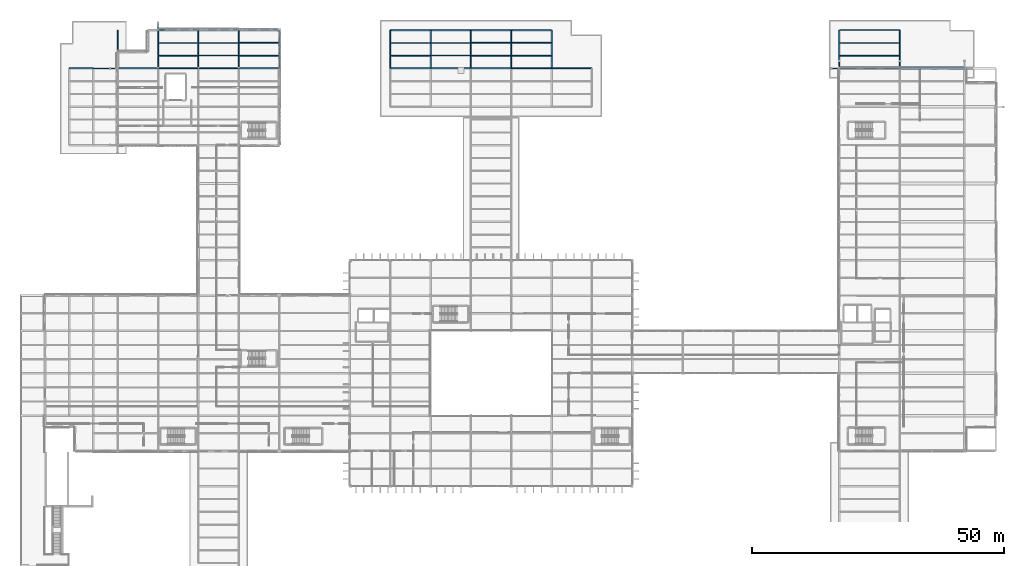
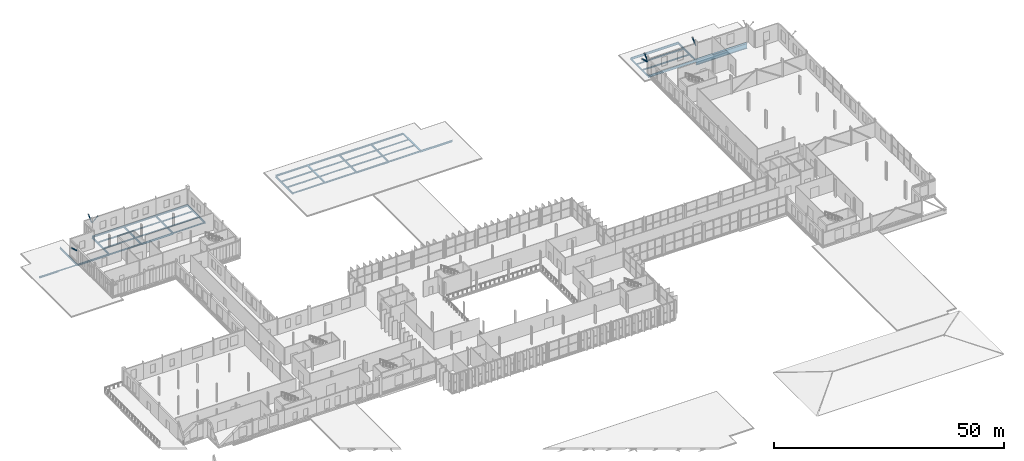
# One storey, part 78 of 120: 49 beams, 6 members.
"""IFC4 building model written with IfcOpenShell, lengths in metres."""

from ifc_helpers import new_model, si_unit, direction, frame, origin, origin_2d, place, context, subcontext, project, spatial, hollow_rectangle, i_section, extrude, material, material_profile, profile_set, type_object, element, save


model = new_model("IFC4")

# Units and contexts
model_context = context("Model", 3, precision=1e-05, world=origin(), true_north=direction((0.0, 1.0)))
body_context = subcontext(model_context, "Body", "Model", "MODEL_VIEW")
ifc_project = project(units=[si_unit("LENGTHUNIT", "METRE"), si_unit("AREAUNIT", "SQUARE_METRE"), si_unit("VOLUMEUNIT", "CUBIC_METRE"), si_unit("PLANEANGLEUNIT", "RADIAN"), si_unit("MASSUNIT", "GRAM", prefix="KILO")], contexts=[model_context])

# Site, building, storey
site_placement = place(None, origin())
site = spatial("IfcSite", under=ifc_project, at=site_placement, CompositionType="ELEMENT")
building_placement = place(site_placement, origin())
building = spatial("IfcBuilding", under=site, at=building_placement, Name="Vekula Escarpment Museum", CompositionType="ELEMENT")
storey_placement = place(building_placement, frame((0.0, 0.0, 13.199951171875)))
storey = spatial("IfcBuildingStorey", under=building, at=storey_placement, Name="L03", CompositionType="ELEMENT", Elevation=13.199951171875)

# Beams
ifc_material_1 = material(Name="Steel S355", Category="steel")
ifc_material_profile_1 = material_profile(ifc_material_1, i_section(OverallWidth=0.5, OverallDepth=1.39990234375, WebThickness=0.02392578125, FlangeThickness=0.0400390625, FilletRadius=0.02392578125, at=origin_2d()), Name="WPG 1400x500")
ifc_profile_set_1 = profile_set([ifc_material_profile_1], Name="Steel S355")
beam_type_1 = type_object("IfcBeamType", Name="BM-CUMBA-GIRD", PredefinedType="BEAM", material=ifc_profile_set_1)
beam_1_placement = place(storey_placement, frame((179.0, 128.39990234375, -0.97998046875), z_axis=(1.0, 0.0, 0.0), x_axis=(0.0, 1.0, 0.0)))
element("IfcBeam", 1, at=beam_1_placement, inside=storey, type_object=beam_type_1, Name="Beam X L03 1467", PredefinedType="BEAM", context=body_context, shape_type="SweptSolid", body=[
    extrude(i_section(OverallWidth=0.5, OverallDepth=1.39990234375, WebThickness=0.02392578125, FlangeThickness=0.0400390625, FilletRadius=0.02392578125, at=origin_2d()), origin(), (0.0, 0.0, 1.0), 12.800048828125),
])
ifc_material_2 = material(Name="Steel S355", Category="steel")
ifc_material_profile_2 = material_profile(ifc_material_2, i_section(OverallWidth=0.280029296875, OverallDepth=0.280029296875, WebThickness=0.010498046875, FlangeThickness=0.01806640625, FilletRadius=0.02392578125, at=origin_2d()), Name="HEB 280")
ifc_profile_set_2 = profile_set([ifc_material_profile_2], Name="Steel S355")
beam_type_2 = type_object("IfcBeamType", Name="BM-GIRD-HEB280", PredefinedType="BEAM", material=ifc_profile_set_2)
for number, where, z_axis, x_axis, name in (
    (2, (48.0, 128.39990234375, -0.389892578125), (1.0, 0.0, 0.0), (0.0, 1.0, 0.0), "Beam X L03 1460"),
    (3, (78.0, 128.39990234375, -0.33984375), (1.0, 0.0, 0.0), (0.0, 1.0, 0.0), "Beam X L03 1461"),
):
    element("IfcBeam", number, at=place(storey_placement, frame(where, z_axis=z_axis, x_axis=x_axis)), inside=storey, type_object=beam_type_2, Name=name, PredefinedType="BEAM", context=body_context, shape_type="SweptSolid", body=[
        extrude(i_section(OverallWidth=0.280029296875, OverallDepth=0.280029296875, WebThickness=0.010498046875, FlangeThickness=0.01806640625, FilletRadius=0.02392578125, at=origin_2d()), origin(), (0.0, 0.0, 1.0), 8.0),
    ])
ifc_material_3 = material(Name="Steel S355", Category="steel")
ifc_material_profile_3 = material_profile(ifc_material_3, i_section(OverallWidth=0.300048828125, OverallDepth=0.320068359375, WebThickness=0.011474609375, FlangeThickness=0.0205078125, FilletRadius=0.027099609375, at=origin_2d()), Name="HEB 320")
ifc_profile_set_3 = profile_set([ifc_material_profile_3], Name="Steel S355")
beam_type_3 = type_object("IfcBeamType", Name="BM-GIRD-HEB320", PredefinedType="BEAM", material=ifc_profile_set_3)
beam_2_placement = place(storey_placement, frame((86.0, 128.39990234375, -0.35986328125), z_axis=(1.0, 0.0, 0.0), x_axis=(0.0, 1.0, 0.0)))
element("IfcBeam", 4, at=beam_2_placement, inside=storey, type_object=beam_type_3, Name="Beam X L03 1462", PredefinedType="BEAM", context=body_context, shape_type="SweptSolid", body=[
    extrude(i_section(OverallWidth=0.300048828125, OverallDepth=0.320068359375, WebThickness=0.011474609375, FlangeThickness=0.0205078125, FilletRadius=0.027099609375, at=origin_2d()), origin(), (0.0, 0.0, 1.0), 8.0),
])
ifc_material_4 = material(Name="Steel S355", Category="steel")
ifc_material_profile_4 = material_profile(ifc_material_4, i_section(OverallWidth=0.300048828125, OverallDepth=0.39990234375, WebThickness=0.013427734375, FlangeThickness=0.02392578125, FilletRadius=0.027099609375, at=origin_2d()), Name="HEB 400")
ifc_profile_set_4 = profile_set([ifc_material_profile_4], Name="Steel S355")
beam_type_4 = type_object("IfcBeamType", Name="BM-GIRD-HEB400", PredefinedType="BEAM", material=ifc_profile_set_4)
beam_3_placement = place(storey_placement, frame((14.39990234375, 128.39990234375, -0.39990234375), z_axis=(1.0, 0.0, 0.0), x_axis=(0.0, 1.0, 0.0)))
element("IfcBeam", 5, at=beam_3_placement, inside=storey, type_object=beam_type_4, Name="Beam X L03 1455", PredefinedType="BEAM", context=body_context, shape_type="SweptSolid", body=[
    extrude(i_section(OverallWidth=0.300048828125, OverallDepth=0.39990234375, WebThickness=0.013427734375, FlangeThickness=0.02392578125, FilletRadius=0.027099609375, at=origin_2d()), origin(), (0.0, 0.0, 1.0), 4.800048828125),
])
for number, where, z_axis, x_axis, name in (
    (6, (24.0, 128.39990234375, -0.449951171875), (1.0, 0.0, 0.0), (0.0, 1.0, 0.0), "Beam X L03 1457"),
    (7, (94.0, 128.39990234375, -0.39990234375), (1.0, 0.0, 0.0), (0.0, 1.0, 0.0), "Beam X L03 1463"),
):
    element("IfcBeam", number, at=place(storey_placement, frame(where, z_axis=z_axis, x_axis=x_axis)), inside=storey, type_object=beam_type_4, Name=name, PredefinedType="BEAM", context=body_context, shape_type="SweptSolid", body=[
        extrude(i_section(OverallWidth=0.300048828125, OverallDepth=0.39990234375, WebThickness=0.013427734375, FlangeThickness=0.02392578125, FilletRadius=0.027099609375, at=origin_2d()), origin(), (0.0, 0.0, 1.0), 8.0),
    ])
ifc_material_5 = material(Name="Steel S355", Category="steel")
ifc_material_profile_5 = material_profile(ifc_material_5, i_section(OverallWidth=0.179931640625, OverallDepth=0.39990234375, WebThickness=0.008544921875, FlangeThickness=0.013427734375, FilletRadius=0.02099609375, at=origin_2d()), Name="IPE 400")
ifc_profile_set_5 = profile_set([ifc_material_profile_5], Name="Steel S355")
beam_type_5 = type_object("IfcBeamType", Name="BM-GIRD-IPE400", PredefinedType="BEAM", material=ifc_profile_set_5)
for number, where, z_axis, x_axis, name in (
    (8, (32.0, 128.39990234375, -0.449951171875), (1.0, 0.0, 0.0), (0.0, 1.0, 0.0), "Beam X L03 1458"),
    (9, (102.0, 128.39990234375, -0.39990234375), (1.0, 0.0, 0.0), (0.0, 1.0, 0.0), "Beam X L03 1464"),
):
    element("IfcBeam", number, at=place(storey_placement, frame(where, z_axis=z_axis, x_axis=x_axis)), inside=storey, type_object=beam_type_5, Name=name, PredefinedType="BEAM", context=body_context, shape_type="SweptSolid", body=[
        extrude(i_section(OverallWidth=0.179931640625, OverallDepth=0.39990234375, WebThickness=0.008544921875, FlangeThickness=0.013427734375, FilletRadius=0.02099609375, at=origin_2d()), origin(), (0.0, 0.0, 1.0), 8.0),
    ])
ifc_material_6 = material(Name="Steel S355", Category="steel")
ifc_material_profile_6 = material_profile(ifc_material_6, i_section(OverallWidth=0.199951171875, OverallDepth=0.5, WebThickness=0.01025390625, FlangeThickness=0.01611328125, FilletRadius=0.02099609375, at=origin_2d()), Name="IPE 500")
ifc_profile_set_6 = profile_set([ifc_material_profile_6], Name="Steel S355")
beam_type_6 = type_object("IfcBeamType", Name="BM-GIRD-IPE500", PredefinedType="BEAM", material=ifc_profile_set_6)
for number, where, z_axis, x_axis, name in (
    (10, (40.0, 128.39990234375, -0.5), (1.0, 0.0, 0.0), (0.0, 1.0, 0.0), "Beam X L03 1459"),
    (11, (110.0, 128.39990234375, -0.449951171875), (1.0, 0.0, 0.0), (0.0, 1.0, 0.0), "Beam X L03 1465"),
):
    element("IfcBeam", number, at=place(storey_placement, frame(where, z_axis=z_axis, x_axis=x_axis)), inside=storey, type_object=beam_type_6, Name=name, PredefinedType="BEAM", context=body_context, shape_type="SweptSolid", body=[
        extrude(i_section(OverallWidth=0.199951171875, OverallDepth=0.5, WebThickness=0.01025390625, FlangeThickness=0.01611328125, FilletRadius=0.02099609375, at=origin_2d()), origin(), (0.0, 0.0, 1.0), 8.0),
    ])
for number, where, z_axis, x_axis, name in (
    (12, (24.0, 128.39990234375, -0.5), (0.0, 1.0, 0.0), (-1.0, 0.0, 0.0), "Beam Y L03 1501"),
    (13, (32.0, 128.39990234375, -0.5), (0.0, 1.0, 0.0), (-1.0, 0.0, 0.0), "Beam Y L03 1511"),
    (14, (40.0, 128.39990234375, -0.5), (0.0, 1.0, 0.0), (-1.0, 0.0, 0.0), "Beam Y L03 1528"),
    (15, (48.0, 128.39990234375, -0.5), (0.0, 1.0, 0.0), (-1.0, 0.0, 0.0), "Beam Y L03 1546"),
    (16, (56.0, 128.39990234375, -0.5), (0.0, 1.0, 0.0), (-1.0, 0.0, 0.0), "Beam Y L03 1556"),
    (17, (78.0, 128.39990234375, -0.449951171875), (0.0, 1.0, 0.0), (-1.0, 0.0, 0.0), "Beam Y L03 1572"),
    (18, (94.0, 128.39990234375, -0.449951171875), (0.0, 1.0, 0.0), (-1.0, 0.0, 0.0), "Beam Y L03 1594"),
    (19, (102.0, 128.39990234375, -0.449951171875), (0.0, 1.0, 0.0), (-1.0, 0.0, 0.0), "Beam Y L03 1606"),
    (20, (179.0, 128.39990234375, -0.530029296875), (0.0, 1.0, 0.0), (-1.0, 0.0, 0.0), "Beam Y L03 1672"),
):
    element("IfcBeam", number, at=place(storey_placement, frame(where, z_axis=z_axis, x_axis=x_axis)), inside=storey, type_object=beam_type_6, Name=name, PredefinedType="BEAM", context=body_context, shape_type="SweptSolid", body=[
        extrude(i_section(OverallWidth=0.199951171875, OverallDepth=0.5, WebThickness=0.01025390625, FlangeThickness=0.01611328125, FilletRadius=0.02099609375, at=origin_2d()), origin(), (0.0, 0.0, 1.0), 7.60009765625),
    ])
ifc_material_7 = material(Name="Steel S355", Category="steel")
ifc_material_profile_7 = material_profile(ifc_material_7, i_section(OverallWidth=0.219970703125, OverallDepth=0.60009765625, WebThickness=0.011962890625, FlangeThickness=0.01904296875, FilletRadius=0.02392578125, at=origin_2d()), Name="IPE 600")
ifc_profile_set_7 = profile_set([ifc_material_profile_7], Name="Steel S355")
beam_type_7 = type_object("IfcBeamType", Name="BM-GIRD-IPE600", PredefinedType="BEAM", material=ifc_profile_set_7)
for number, where, z_axis, x_axis, name in (
    (21, (167.0, 128.39990234375, -0.579833984375), (1.0, 0.0, 0.0), (0.0, 1.0, 0.0), "Beam X L03 1466"),
    (22, (167.0, 136.0, -0.5), (1.0, 0.0, 0.0), (0.0, 1.0, 0.0), "Beam X L03 1475"),
):
    element("IfcBeam", number, at=place(storey_placement, frame(where, z_axis=z_axis, x_axis=x_axis)), inside=storey, type_object=beam_type_7, Name=name, PredefinedType="BEAM", context=body_context, shape_type="SweptSolid", body=[
        extrude(i_section(OverallWidth=0.219970703125, OverallDepth=0.60009765625, WebThickness=0.011962890625, FlangeThickness=0.01904296875, FilletRadius=0.02392578125, at=origin_2d()), origin(), (0.0, 0.0, 1.0), 12.0),
    ])
ifc_material_8 = material(Name="Steel S355", Category="steel")
ifc_material_profile_8 = material_profile(ifc_material_8, i_section(OverallWidth=0.1201171875, OverallDepth=0.239990234375, WebThickness=0.006103515625, FlangeThickness=0.009765625, FilletRadius=0.014892578125, at=origin_2d()), Name="IPE 240")
ifc_profile_set_8 = profile_set([ifc_material_profile_8], Name="Steel S355")
beam_type_8 = type_object("IfcBeamType", Name="BM-JST-IPE240", PredefinedType="JOIST", material=ifc_profile_set_8)
for number, where, z_axis, x_axis, name in (
    (23, (40.090087890625, 130.933349609375, -0.369873046875), (1.0, 0.0, 0.0), (0.0, 1.0, 0.0), "Secondary Joist L03 0972"),
    (24, (40.090087890625, 133.466796875, -0.369873046875), (1.0, 0.0, 0.0), (0.0, 1.0, 0.0), "Secondary Joist L03 0973"),
    (25, (86.090087890625, 130.933349609375, -0.320068359375), (1.0, 0.0, 0.0), (0.0, 1.0, 0.0), "Secondary Joist L03 1021"),
    (26, (86.090087890625, 133.466796875, -0.320068359375), (1.0, 0.0, 0.0), (0.0, 1.0, 0.0), "Secondary Joist L03 1022"),
):
    element("IfcBeam", number, at=place(storey_placement, frame(where, z_axis=z_axis, x_axis=x_axis)), inside=storey, type_object=beam_type_8, Name=name, PredefinedType="JOIST", context=body_context, shape_type="SweptSolid", body=[
        extrude(i_section(OverallWidth=0.1201171875, OverallDepth=0.239990234375, WebThickness=0.006103515625, FlangeThickness=0.009765625, FilletRadius=0.014892578125, at=origin_2d()), origin(), (0.0, 0.0, 1.0), 7.81982421875),
    ])
ifc_material_9 = material(Name="Steel S355", Category="steel")
ifc_material_profile_9 = material_profile(ifc_material_9, i_section(OverallWidth=0.135009765625, OverallDepth=0.27001953125, WebThickness=0.006591796875, FlangeThickness=0.01025390625, FilletRadius=0.014892578125, at=origin_2d()), Name="IPE 270")
ifc_profile_set_9 = profile_set([ifc_material_profile_9], Name="Steel S355")
beam_type_9 = type_object("IfcBeamType", Name="BM-JST-IPE270", PredefinedType="JOIST", material=ifc_profile_set_9)
for number, where, z_axis, x_axis, name in (
    (27, (32.090087890625, 130.933349609375, -0.385009765625), (1.0, 0.0, 0.0), (0.0, 1.0, 0.0), "Secondary Joist L03 0942"),
    (28, (32.090087890625, 133.466796875, -0.385009765625), (1.0, 0.0, 0.0), (0.0, 1.0, 0.0), "Secondary Joist L03 0943"),
    (29, (78.090087890625, 130.933349609375, -0.3349609375), (1.0, 0.0, 0.0), (0.0, 1.0, 0.0), "Secondary Joist L03 1012"),
    (30, (78.090087890625, 133.466796875, -0.3349609375), (1.0, 0.0, 0.0), (0.0, 1.0, 0.0), "Secondary Joist L03 1013"),
):
    element("IfcBeam", number, at=place(storey_placement, frame(where, z_axis=z_axis, x_axis=x_axis)), inside=storey, type_object=beam_type_9, Name=name, PredefinedType="JOIST", context=body_context, shape_type="SweptSolid", body=[
        extrude(i_section(OverallWidth=0.135009765625, OverallDepth=0.27001953125, WebThickness=0.006591796875, FlangeThickness=0.01025390625, FilletRadius=0.014892578125, at=origin_2d()), origin(), (0.0, 0.0, 1.0), 7.81982421875),
    ])
for number, where, z_axis, x_axis, name in (
    (31, (167.090087890625, 130.933349609375, -0.4150390625), (1.0, 0.0, 0.0), (0.0, 1.0, 0.0), "Secondary Joist L03 1114"),
    (32, (167.090087890625, 133.466796875, -0.4150390625), (1.0, 0.0, 0.0), (0.0, 1.0, 0.0), "Secondary Joist L03 1115"),
):
    element("IfcBeam", number, at=place(storey_placement, frame(where, z_axis=z_axis, x_axis=x_axis)), inside=storey, type_object=beam_type_9, Name=name, PredefinedType="JOIST", context=body_context, shape_type="SweptSolid", body=[
        extrude(i_section(OverallWidth=0.135009765625, OverallDepth=0.27001953125, WebThickness=0.006591796875, FlangeThickness=0.01025390625, FilletRadius=0.014892578125, at=origin_2d()), origin(), (0.0, 0.0, 1.0), 11.81982421875),
    ])
ifc_material_10 = material(Name="Steel S355", Category="steel")
ifc_material_profile_10 = material_profile(ifc_material_10, i_section(OverallWidth=0.159912109375, OverallDepth=0.330078125, WebThickness=0.007568359375, FlangeThickness=0.011474609375, FilletRadius=0.01806640625, at=origin_2d()), Name="IPE 330")
ifc_profile_set_10 = profile_set([ifc_material_profile_10], Name="Steel S355")
beam_type_10 = type_object("IfcBeamType", Name="BM-JST-IPE330", PredefinedType="JOIST", material=ifc_profile_set_10)
for number, where, z_axis, x_axis, name in (
    (33, (102.090087890625, 130.933349609375, -0.364990234375), (1.0, 0.0, 0.0), (0.0, 1.0, 0.0), "Secondary Joist L03 1053"),
    (34, (102.090087890625, 133.466796875, -0.364990234375), (1.0, 0.0, 0.0), (0.0, 1.0, 0.0), "Secondary Joist L03 1054"),
):
    element("IfcBeam", number, at=place(storey_placement, frame(where, z_axis=z_axis, x_axis=x_axis)), inside=storey, type_object=beam_type_10, Name=name, PredefinedType="JOIST", context=body_context, shape_type="SweptSolid", body=[
        extrude(i_section(OverallWidth=0.159912109375, OverallDepth=0.330078125, WebThickness=0.007568359375, FlangeThickness=0.011474609375, FilletRadius=0.01806640625, at=origin_2d()), origin(), (0.0, 0.0, 1.0), 7.81982421875),
    ])
ifc_material_11 = material(Name="Steel S355", Category="steel")
ifc_material_profile_11 = material_profile(ifc_material_11, i_section(OverallWidth=0.169921875, OverallDepth=0.360107421875, WebThickness=0.008056640625, FlangeThickness=0.0126953125, FilletRadius=0.01806640625, at=origin_2d()), Name="IPE 360")
ifc_profile_set_11 = profile_set([ifc_material_profile_11], Name="Steel S355")
beam_type_11 = type_object("IfcBeamType", Name="BM-JST-IPE360", PredefinedType="JOIST", material=ifc_profile_set_11)
for number, where, z_axis, x_axis, name in (
    (35, (48.090087890625, 130.933349609375, -0.429931640625), (1.0, 0.0, 0.0), (0.0, 1.0, 0.0), "Secondary Joist L03 0984"),
    (36, (48.090087890625, 133.466796875, -0.429931640625), (1.0, 0.0, 0.0), (0.0, 1.0, 0.0), "Secondary Joist L03 0985"),
    (37, (94.090087890625, 130.933349609375, -0.3798828125), (1.0, 0.0, 0.0), (0.0, 1.0, 0.0), "Secondary Joist L03 1041"),
    (38, (94.090087890625, 133.466796875, -0.3798828125), (1.0, 0.0, 0.0), (0.0, 1.0, 0.0), "Secondary Joist L03 1042"),
):
    element("IfcBeam", number, at=place(storey_placement, frame(where, z_axis=z_axis, x_axis=x_axis)), inside=storey, type_object=beam_type_11, Name=name, PredefinedType="JOIST", context=body_context, shape_type="SweptSolid", body=[
        extrude(i_section(OverallWidth=0.169921875, OverallDepth=0.360107421875, WebThickness=0.008056640625, FlangeThickness=0.0126953125, FilletRadius=0.01806640625, at=origin_2d()), origin(), (0.0, 0.0, 1.0), 7.81982421875),
    ])
ifc_material_12 = material(Name="Steel S355", Category="steel")
ifc_material_profile_12 = material_profile(ifc_material_12, i_section(OverallWidth=0.239990234375, OverallDepth=0.22998046875, WebThickness=0.007568359375, FlangeThickness=0.011962890625, FilletRadius=0.02099609375, at=origin_2d()), Name="HEA 240")
ifc_profile_set_12 = profile_set([ifc_material_profile_12], Name="Steel S355")
beam_type_12 = type_object("IfcBeamType", Name="BM-SPAN-HEA240", PredefinedType="SPANDREL", material=ifc_profile_set_12)
beam_4_placement = place(storey_placement, frame((19.199951171875, 128.39990234375, -0.364990234375), z_axis=(1.0, 0.0, 0.0), x_axis=(0.0, 1.0, 0.0)))
element("IfcBeam", 39, at=beam_4_placement, inside=storey, type_object=beam_type_12, Name="Beam X L03 1456", PredefinedType="SPANDREL", context=body_context, shape_type="SweptSolid", body=[
    extrude(i_section(OverallWidth=0.239990234375, OverallDepth=0.22998046875, WebThickness=0.007568359375, FlangeThickness=0.011962890625, FilletRadius=0.02099609375, at=origin_2d()), origin(), (0.0, 0.0, 1.0), 4.800048828125),
])
ifc_material_13 = material(Name="Steel S355", Category="steel")
ifc_material_profile_13 = material_profile(ifc_material_13, i_section(OverallWidth=0.300048828125, OverallDepth=0.2900390625, WebThickness=0.008544921875, FlangeThickness=0.013916015625, FilletRadius=0.027099609375, at=origin_2d()), Name="HEA 300")
ifc_profile_set_13 = profile_set([ifc_material_profile_13], Name="Steel S355")
beam_type_13 = type_object("IfcBeamType", Name="BM-SPAN-HEA300", PredefinedType="SPANDREL", material=ifc_profile_set_13)
for number, where, z_axis, x_axis, name in (
    (40, (86.0, 128.39990234375, -0.344970703125), (0.0, 1.0, 0.0), (-1.0, 0.0, 0.0), "Beam Y L03 1582"),
    (41, (110.0, 128.39990234375, -0.344970703125), (0.0, 1.0, 0.0), (-1.0, 0.0, 0.0), "Beam Y L03 1616"),
    (42, (167.0, 128.39990234375, -0.425048828125), (0.0, 1.0, 0.0), (-1.0, 0.0, 0.0), "Beam Y L03 1656"),
):
    element("IfcBeam", number, at=place(storey_placement, frame(where, z_axis=z_axis, x_axis=x_axis)), inside=storey, type_object=beam_type_13, Name=name, PredefinedType="SPANDREL", context=body_context, shape_type="SweptSolid", body=[
        extrude(i_section(OverallWidth=0.300048828125, OverallDepth=0.2900390625, WebThickness=0.008544921875, FlangeThickness=0.013916015625, FilletRadius=0.027099609375, at=origin_2d()), origin(), (0.0, 0.0, 1.0), 7.60009765625),
    ])
ifc_material_14 = material(Name="Steel S355", Category="steel")
ifc_material_profile_14 = material_profile(ifc_material_14, i_section(OverallWidth=0.300048828125, OverallDepth=0.389892578125, WebThickness=0.010986328125, FlangeThickness=0.01904296875, FilletRadius=0.027099609375, at=origin_2d()), Name="HEA 400")
ifc_profile_set_14 = profile_set([ifc_material_profile_14], Name="Steel S355")
beam_type_14 = type_object("IfcBeamType", Name="BM-SPAN-HEA400", PredefinedType="SPANDREL", material=ifc_profile_set_14)
for number, where, z_axis, x_axis, name in (
    (43, (32.0, 136.0, -0.445068359375), (1.0, 0.0, 0.0), (0.0, 1.0, 0.0), "Beam X L03 1468"),
    (44, (40.0, 136.0, -0.445068359375), (1.0, 0.0, 0.0), (0.0, 1.0, 0.0), "Beam X L03 1469"),
    (45, (48.0, 136.0, -0.445068359375), (1.0, 0.0, 0.0), (0.0, 1.0, 0.0), "Beam X L03 1470"),
    (46, (78.0, 136.0, -0.39501953125), (1.0, 0.0, 0.0), (0.0, 1.0, 0.0), "Beam X L03 1471"),
    (47, (86.0, 136.0, -0.39501953125), (1.0, 0.0, 0.0), (0.0, 1.0, 0.0), "Beam X L03 1472"),
    (48, (94.0, 136.0, -0.39501953125), (1.0, 0.0, 0.0), (0.0, 1.0, 0.0), "Beam X L03 1473"),
    (49, (102.0, 136.0, -0.39501953125), (1.0, 0.0, 0.0), (0.0, 1.0, 0.0), "Beam X L03 1474"),
):
    element("IfcBeam", number, at=place(storey_placement, frame(where, z_axis=z_axis, x_axis=x_axis)), inside=storey, type_object=beam_type_14, Name=name, PredefinedType="SPANDREL", context=body_context, shape_type="SweptSolid", body=[
        extrude(i_section(OverallWidth=0.300048828125, OverallDepth=0.389892578125, WebThickness=0.010986328125, FlangeThickness=0.01904296875, FilletRadius=0.027099609375, at=origin_2d()), origin(), (0.0, 0.0, 1.0), 8.0),
    ])

# Members
ifc_material_15 = material(Name="Steel S355", Category="steel")
ifc_material_profile_15 = material_profile(ifc_material_15, hollow_rectangle(XDim=0.10009765625, YDim=0.199951171875, WallThickness=0.008056640625, InnerFilletRadius=0.008056640625, OuterFilletRadius=0.01611328125, at=origin_2d()), Name="RHS 200x100x8")
ifc_profile_set_15 = profile_set([ifc_material_profile_15], Name="Steel S355")
member_type = type_object("IfcMemberType", Name="MB-SACAK-BRK", PredefinedType="STRUT", material=ifc_profile_set_15)
for number, where, z_axis, x_axis, name in (
    (50, (23.8798828125, 128.39990234375, 3.35009765625), (-0.738454378718, 0.0, 0.674303441006), (0.0, -1.0, 0.0), "Ottoman Sacak Eave Bracket L04-0094"),
    (51, (32.1201171875, 136.0, 3.35009765625), (0.738454378718, 0.0, 0.674303441006), (0.0, 1.0, 0.0), "Ottoman Sacak Eave Bracket L04-0095"),
    (52, (32.0, 136.1201171875, 3.35009765625), (0.0, 0.738454378718, 0.674303441006), (-1.0, 0.0, 0.0), "Ottoman Sacak Eave Bracket L04-0096"),
    (53, (166.8798828125, 128.39990234375, 3.35009765625), (-0.738454378718, 0.0, 0.674303441006), (0.0, -1.0, 0.0), "Ottoman Sacak Eave Bracket L04-0097"),
    (54, (167.0, 128.52001953125, 3.35009765625), (0.0, 0.738454378718, 0.674303441006), (-1.0, 0.0, 0.0), "Ottoman Sacak Eave Bracket L04-0098"),
    (55, (179.0, 128.52001953125, 3.35009765625), (0.0, 0.738454378718, 0.674303441006), (-1.0, 0.0, 0.0), "Ottoman Sacak Eave Bracket L04-0099"),
):
    element("IfcMember", number, at=place(storey_placement, frame(where, z_axis=z_axis, x_axis=x_axis)), inside=storey, type_object=member_type, Name=name, PredefinedType="STRUT", context=body_context, shape_type="SweptSolid", body=[
        extrude(hollow_rectangle(XDim=0.10009765625, YDim=0.199951171875, WallThickness=0.008056640625, InnerFilletRadius=0.008056640625, OuterFilletRadius=0.01611328125, at=origin_2d()), origin(), (0.0, 0.0, 1.0), 1.86865234375),
    ])

save(model, "model.ifc")
